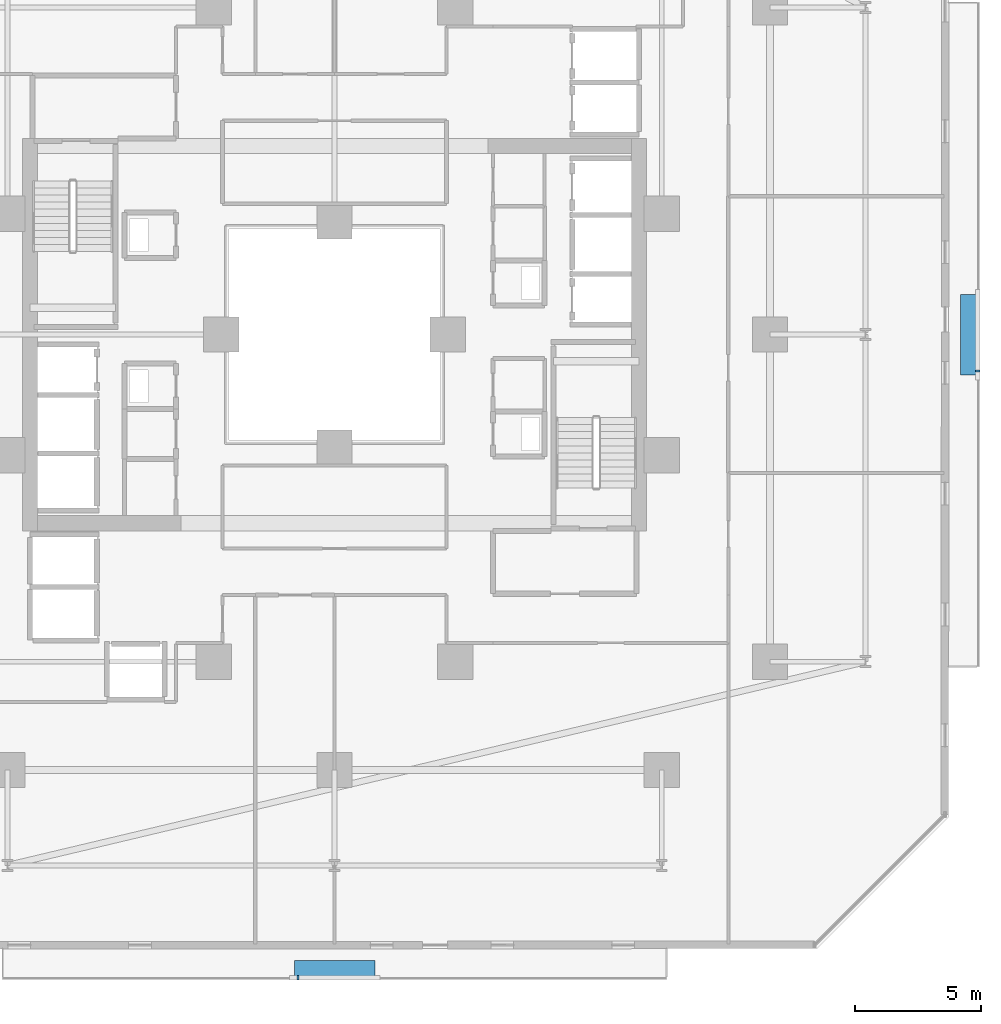
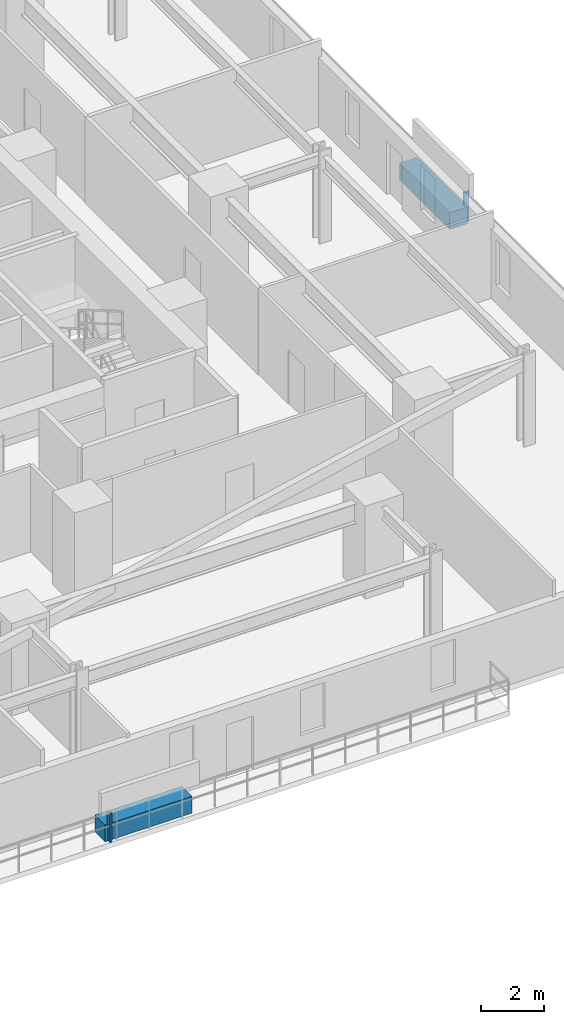
# One storey, part 28 of 33: 4 discrete accessories.
"""IFC4 building model written with IfcOpenShell, lengths in metres."""

from ifc_helpers import new_model, si_unit, direction, frame, origin, origin_2d, place, context, subcontext, project, spatial, rectangle, extrude, material, type_object, element, save


model = new_model("IFC4")

# Units and contexts
model_context = context("Model", 3, precision=1e-05, world=origin(), true_north=direction((0.0, 1.0)))
body_context = subcontext(model_context, "Body", "Model", "MODEL_VIEW")
ifc_project = project(units=[si_unit("LENGTHUNIT", "METRE"), si_unit("AREAUNIT", "SQUARE_METRE"), si_unit("VOLUMEUNIT", "CUBIC_METRE"), si_unit("PLANEANGLEUNIT", "RADIAN"), si_unit("MASSUNIT", "GRAM", prefix="KILO")], contexts=[model_context])

# Site, building, storey
site_placement = place(None, origin())
site = spatial("IfcSite", under=ifc_project, at=site_placement, CompositionType="ELEMENT")
building_placement = place(site_placement, origin())
building = spatial("IfcBuilding", under=site, at=building_placement, Name="Thornwick Lancets Civic Towers", CompositionType="ELEMENT")
storey_placement = place(building_placement, frame((0.0, 0.0, 38.699951171875)))
storey = spatial("IfcBuildingStorey", under=building, at=storey_placement, Name="L09", CompositionType="ELEMENT", Elevation=38.699951171875)

# Discrete accessories
ifc_material_1 = material(Name="Planted terracotta greenery planter", Category="masonry")
discrete_accessory_type_1 = type_object("IfcDiscreteAccessoryType", Name="ACC_PLANTER_BOX", PredefinedType="USERDEFINED", material=ifc_material_1)
discrete_accessory_1_placement = place(storey_placement, frame((88.5, 1.800048828125, 0.0), z_axis=(0.0, 0.0, 1.0), x_axis=(1.0, 0.0, 0.0)))
element("IfcDiscreteAccessory", 1, at=discrete_accessory_1_placement, inside=storey, type_object=discrete_accessory_type_1, Name="L09 Tower B Balcony Greenery Planter S", ObjectType="PLANTER", PredefinedType="USERDEFINED", context=body_context, shape_type="SweptSolid", body=[
    extrude(rectangle(XDim=3.199951171875, YDim=0.64990234375, at=origin_2d()), origin(), (0.0, 0.0, 1.0), 0.64990234375),
])
discrete_accessory_2_placement = place(storey_placement, frame((113.699951171875, 27.0, 0.0), z_axis=(0.0, 0.0, 1.0), x_axis=(1.0, 0.0, 0.0)))
element("IfcDiscreteAccessory", 2, at=discrete_accessory_2_placement, inside=storey, type_object=discrete_accessory_type_1, Name="L09 Tower B Balcony Greenery Planter E", ObjectType="PLANTER", PredefinedType="USERDEFINED", context=body_context, shape_type="SweptSolid", body=[
    extrude(rectangle(XDim=0.64990234375, YDim=3.199951171875, at=origin_2d()), origin(), (0.0, 0.0, 1.0), 0.64990234375),
])
ifc_material_2 = material(Name="Stainless steel S355", Category="steel")
discrete_accessory_type_2 = type_object("IfcDiscreteAccessoryType", Name="ACC_SCREEN_BRACKET", PredefinedType="BRACKET", material=ifc_material_2)
for number, where, z_axis, x_axis, name in (
    (3, (87.050048828125, 1.43994140625, 0.0), (0.0, 0.0, 1.0), (1.0, 0.0, 0.0), "L09 Tower B Balcony Screen Stanchion Bracket S-1"),
    (4, (114.06005859375, 25.550048828125, 0.0), (0.0, 0.0, 1.0), (0.0, 1.0, 0.0), "L09 Tower B Balcony Screen Stanchion Bracket E-1"),
):
    element("IfcDiscreteAccessory", number, at=place(storey_placement, frame(where, z_axis=z_axis, x_axis=x_axis)), inside=storey, type_object=discrete_accessory_type_2, Name=name, PredefinedType="BRACKET", context=body_context, shape_type="SweptSolid", body=[
        extrude(rectangle(XDim=0.080078125, YDim=0.179931640625, at=origin_2d()), origin(), (0.0, 0.0, 1.0), 1.14990234375),
    ])

save(model, "model.ifc")
